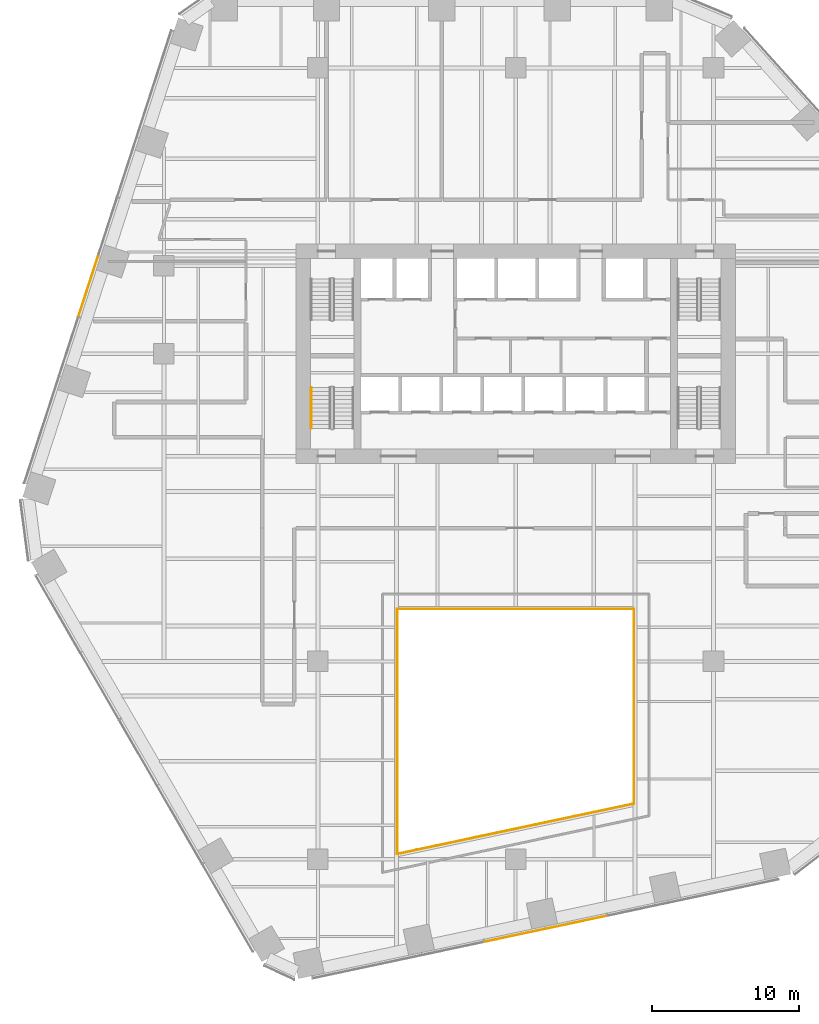
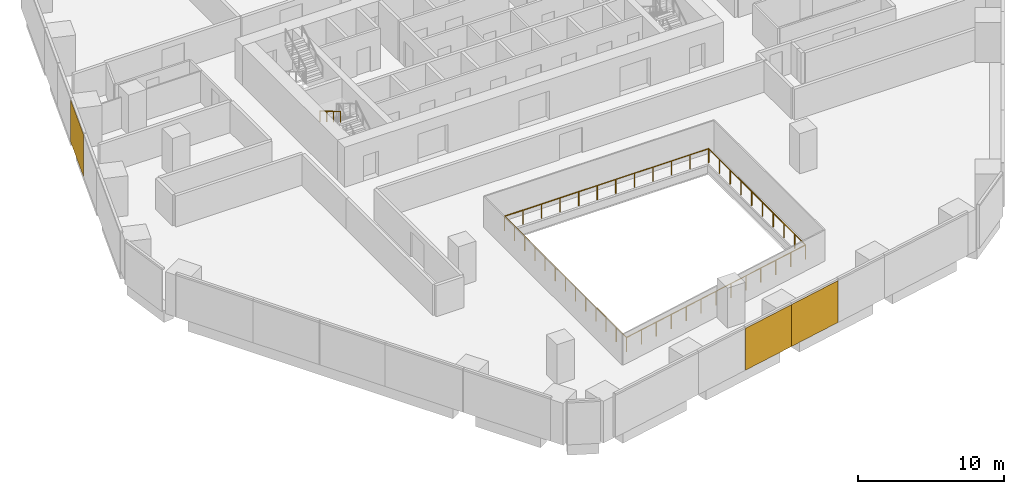
# One storey, part 18 of 20: 5 railings, 3 coverings, 2 elements without a shape of their own.
"""IFC4 building model written with IfcOpenShell, lengths in metres."""

from ifc_helpers import new_model, si_unit, direction, frame, origin, origin_2d, place, context, subcontext, project, spatial, rectangle, circle, extrude, material, layer, layer_set, type_object, element, aggregate, save


model = new_model("IFC4")

# Units and contexts
model_context = context("Model", 3, precision=1e-05, world=origin(), true_north=direction((0.0, 1.0)))
body_context = subcontext(model_context, "Body", "Model", "MODEL_VIEW")
ifc_project = project(units=[si_unit("LENGTHUNIT", "METRE"), si_unit("AREAUNIT", "SQUARE_METRE"), si_unit("VOLUMEUNIT", "CUBIC_METRE"), si_unit("PLANEANGLEUNIT", "RADIAN"), si_unit("MASSUNIT", "GRAM", prefix="KILO")], contexts=[model_context])

# Site, building, storey
site_placement = place(None, origin())
site = spatial("IfcSite", under=ifc_project, at=site_placement, CompositionType="ELEMENT")
building_placement = place(site_placement, origin())
building = spatial("IfcBuilding", under=site, at=building_placement, Name="Isthmus Gate Tower", CompositionType="ELEMENT")
storey_placement = place(building_placement, frame((0.0, 0.0, 72.5)))
storey = spatial("IfcBuildingStorey", under=building, at=storey_placement, Name="L16", CompositionType="ELEMENT", Elevation=72.5)

# Railings
ifc_material_1 = material(Name="Laminated toughened glass balustrade with steel rail", Category="steel")
railing_type_1 = type_object("IfcRailingType", Name="ATRIUM GUARD GLASS BALUSTRADE 1200", PredefinedType="GUARDRAIL", material=ifc_material_1)
railing_1_placement = place(storey_placement, frame((-8.080078125, -26.642822265625, 0.0)))
element("IfcRailing", 1, at=railing_1_placement, inside=storey, type_object=railing_type_1, Name="L16 atrium guard", PredefinedType="GUARDRAIL", context=body_context, shape_type="SweptSolid", body=[
    extrude(circle(Radius=0.02490234375, at=origin_2d()), frame((0.0, 0.0, 1.1748046875), z_axis=(0.0, 1.0, 0.0), x_axis=(-1.0, 0.0, 0.0)), (0.0, 0.0, 1.0), 16.722900390625),
    extrude(circle(Radius=0.02490234375, at=origin_2d()), origin(), (0.0, 0.0, 1.0), 1.14990234375),
    extrude(circle(Radius=0.02490234375, at=origin_2d()), frame((0.0, 1.3935546875, 0.0)), (0.0, 0.0, 1.0), 1.14990234375),
    extrude(circle(Radius=0.02490234375, at=origin_2d()), frame((0.0, 2.787109375, 0.0)), (0.0, 0.0, 1.0), 1.14990234375),
    extrude(circle(Radius=0.02490234375, at=origin_2d()), frame((0.0, 4.1806640625, 0.0)), (0.0, 0.0, 1.0), 1.14990234375),
    extrude(circle(Radius=0.02490234375, at=origin_2d()), frame((0.0, 5.57421875, 0.0)), (0.0, 0.0, 1.0), 1.14990234375),
    extrude(circle(Radius=0.02490234375, at=origin_2d()), frame((0.0, 6.9677734375, 0.0)), (0.0, 0.0, 1.0), 1.14990234375),
    extrude(circle(Radius=0.02490234375, at=origin_2d()), frame((0.0, 8.361328125, 0.0)), (0.0, 0.0, 1.0), 1.14990234375),
    extrude(circle(Radius=0.02490234375, at=origin_2d()), frame((0.0, 9.755126953125, 0.0)), (0.0, 0.0, 1.0), 1.14990234375),
    extrude(circle(Radius=0.02490234375, at=origin_2d()), frame((0.0, 11.148681640625, 0.0)), (0.0, 0.0, 1.0), 1.14990234375),
    extrude(circle(Radius=0.02490234375, at=origin_2d()), frame((0.0, 12.542236328125, 0.0)), (0.0, 0.0, 1.0), 1.14990234375),
    extrude(circle(Radius=0.02490234375, at=origin_2d()), frame((0.0, 13.935791015625, 0.0)), (0.0, 0.0, 1.0), 1.14990234375),
    extrude(circle(Radius=0.02490234375, at=origin_2d()), frame((0.0, 15.329345703125, 0.0)), (0.0, 0.0, 1.0), 1.14990234375),
    extrude(circle(Radius=0.02490234375, at=origin_2d()), frame((0.0, 16.722900390625, 0.0)), (0.0, 0.0, 1.0), 1.14990234375),
])
railing_2_placement = place(storey_placement, frame((-8.080078125, -9.919921875, 0.0)))
element("IfcRailing", 2, at=railing_2_placement, inside=storey, type_object=railing_type_1, Name="L16 atrium guard", PredefinedType="GUARDRAIL", context=body_context, shape_type="SweptSolid", body=[
    extrude(circle(Radius=0.02490234375, at=origin_2d()), frame((0.0, 0.0, 1.1748046875), z_axis=(1.0, 0.0, 0.0), x_axis=(0.0, 1.0, 0.0)), (0.0, 0.0, 1.0), 16.16015625),
    extrude(circle(Radius=0.02490234375, at=origin_2d()), origin(), (0.0, 0.0, 1.0), 1.14990234375),
    extrude(circle(Radius=0.02490234375, at=origin_2d()), frame((1.468994140625, 0.0, 0.0)), (0.0, 0.0, 1.0), 1.14990234375),
    extrude(circle(Radius=0.02490234375, at=origin_2d()), frame((2.938232421875, 0.0, 0.0)), (0.0, 0.0, 1.0), 1.14990234375),
    extrude(circle(Radius=0.02490234375, at=origin_2d()), frame((4.4072265625, 0.0, 0.0)), (0.0, 0.0, 1.0), 1.14990234375),
    extrude(circle(Radius=0.02490234375, at=origin_2d()), frame((5.87646484375, 0.0, 0.0)), (0.0, 0.0, 1.0), 1.14990234375),
    extrude(circle(Radius=0.02490234375, at=origin_2d()), frame((7.345458984375, 0.0, 0.0)), (0.0, 0.0, 1.0), 1.14990234375),
    extrude(circle(Radius=0.02490234375, at=origin_2d()), frame((8.814697265625, 0.0, 0.0)), (0.0, 0.0, 1.0), 1.14990234375),
    extrude(circle(Radius=0.02490234375, at=origin_2d()), frame((10.28369140625, 0.0, 0.0)), (0.0, 0.0, 1.0), 1.14990234375),
    extrude(circle(Radius=0.02490234375, at=origin_2d()), frame((11.7529296875, 0.0, 0.0)), (0.0, 0.0, 1.0), 1.14990234375),
    extrude(circle(Radius=0.02490234375, at=origin_2d()), frame((13.221923828125, 0.0, 0.0)), (0.0, 0.0, 1.0), 1.14990234375),
    extrude(circle(Radius=0.02490234375, at=origin_2d()), frame((14.691162109375, 0.0, 0.0)), (0.0, 0.0, 1.0), 1.14990234375),
    extrude(circle(Radius=0.02490234375, at=origin_2d()), frame((16.16015625, 0.0, 0.0)), (0.0, 0.0, 1.0), 1.14990234375),
])
railing_3_placement = place(storey_placement, frame((8.080078125, -9.919921875, 0.0)))
element("IfcRailing", 3, at=railing_3_placement, inside=storey, type_object=railing_type_1, Name="L16 atrium guard", PredefinedType="GUARDRAIL", context=body_context, shape_type="SweptSolid", body=[
    extrude(circle(Radius=0.02490234375, at=origin_2d()), frame((0.0, 0.0, 1.1748046875), z_axis=(0.0, -1.0, 0.0), x_axis=(1.0, 0.0, 0.0)), (0.0, 0.0, 1.0), 13.2880859375),
    extrude(circle(Radius=0.02490234375, at=origin_2d()), origin(), (0.0, 0.0, 1.0), 1.14990234375),
    extrude(circle(Radius=0.02490234375, at=origin_2d()), frame((0.0, -1.4765625, 0.0)), (0.0, 0.0, 1.0), 1.14990234375),
    extrude(circle(Radius=0.02490234375, at=origin_2d()), frame((0.0, -2.952880859375, 0.0)), (0.0, 0.0, 1.0), 1.14990234375),
    extrude(circle(Radius=0.02490234375, at=origin_2d()), frame((0.0, -4.429443359375, 0.0)), (0.0, 0.0, 1.0), 1.14990234375),
    extrude(circle(Radius=0.02490234375, at=origin_2d()), frame((0.0, -5.90576171875, 0.0)), (0.0, 0.0, 1.0), 1.14990234375),
    extrude(circle(Radius=0.02490234375, at=origin_2d()), frame((0.0, -7.38232421875, 0.0)), (0.0, 0.0, 1.0), 1.14990234375),
    extrude(circle(Radius=0.02490234375, at=origin_2d()), frame((0.0, -8.858642578125, 0.0)), (0.0, 0.0, 1.0), 1.14990234375),
    extrude(circle(Radius=0.02490234375, at=origin_2d()), frame((0.0, -10.335205078125, 0.0)), (0.0, 0.0, 1.0), 1.14990234375),
    extrude(circle(Radius=0.02490234375, at=origin_2d()), frame((0.0, -11.8115234375, 0.0)), (0.0, 0.0, 1.0), 1.14990234375),
    extrude(circle(Radius=0.02490234375, at=origin_2d()), frame((0.0, -13.2880859375, 0.0)), (0.0, 0.0, 1.0), 1.14990234375),
])
railing_4_placement = place(storey_placement, frame((8.080078125, -23.2080078125, 0.0)))
element("IfcRailing", 4, at=railing_4_placement, inside=storey, type_object=railing_type_1, Name="L16 atrium guard", PredefinedType="GUARDRAIL", context=body_context, shape_type="SweptSolid", body=[
    extrude(circle(Radius=0.02490234375, at=origin_2d()), frame((0.0, 0.0, 1.1748046875), z_axis=(-0.978149235358, -0.207904000366, 0.0), x_axis=(0.207904000366, -0.978149235358, 0.0)), (0.0, 0.0, 1.0), 16.521240234375),
    extrude(circle(Radius=0.02490234375, at=origin_2d()), origin(), (0.0, 0.0, 1.0), 1.14990234375),
    extrude(circle(Radius=0.02490234375, at=origin_2d()), frame((-1.3466796875, -0.2861328125, 0.0)), (0.0, 0.0, 1.0), 1.14990234375),
    extrude(circle(Radius=0.02490234375, at=origin_2d()), frame((-2.693359375, -0.572509765625, 0.0)), (0.0, 0.0, 1.0), 1.14990234375),
    extrude(circle(Radius=0.02490234375, at=origin_2d()), frame((-4.0400390625, -0.858642578125, 0.0)), (0.0, 0.0, 1.0), 1.14990234375),
    extrude(circle(Radius=0.02490234375, at=origin_2d()), frame((-5.38671875, -1.14501953125, 0.0)), (0.0, 0.0, 1.0), 1.14990234375),
    extrude(circle(Radius=0.02490234375, at=origin_2d()), frame((-6.7333984375, -1.43115234375, 0.0)), (0.0, 0.0, 1.0), 1.14990234375),
    extrude(circle(Radius=0.02490234375, at=origin_2d()), frame((-8.080078125, -1.71728515625, 0.0)), (0.0, 0.0, 1.0), 1.14990234375),
    extrude(circle(Radius=0.02490234375, at=origin_2d()), frame((-9.4267578125, -2.003662109375, 0.0)), (0.0, 0.0, 1.0), 1.14990234375),
    extrude(circle(Radius=0.02490234375, at=origin_2d()), frame((-10.7734375, -2.289794921875, 0.0)), (0.0, 0.0, 1.0), 1.14990234375),
    extrude(circle(Radius=0.02490234375, at=origin_2d()), frame((-12.1201171875, -2.576171875, 0.0)), (0.0, 0.0, 1.0), 1.14990234375),
    extrude(circle(Radius=0.02490234375, at=origin_2d()), frame((-13.466796875, -2.8623046875, 0.0)), (0.0, 0.0, 1.0), 1.14990234375),
    extrude(circle(Radius=0.02490234375, at=origin_2d()), frame((-14.8134765625, -3.148681640625, 0.0)), (0.0, 0.0, 1.0), 1.14990234375),
    extrude(circle(Radius=0.02490234375, at=origin_2d()), frame((-16.16015625, -3.434814453125, 0.0)), (0.0, 0.0, 1.0), 1.14990234375),
])

# Curtain wall, covering
ifc_material_2 = material(Name="Aluminium, pale champagne anodised", Category="aluminium")
ifc_layer_1 = layer(ifc_material_2, 0.199951171875)
ifc_layer_set_1 = layer_set([ifc_layer_1], Name="CW-1 UNITISED CURTAIN WALL 200 DEEP")
curtain_wall_type = type_object("IfcCurtainWallType", Name="CW-1 UNITISED CURTAIN WALL 200 DEEP", PredefinedType="NOTDEFINED", material=ifc_layer_set_1)
curtain_wall_1_placement = place(storey_placement, origin())
curtain_wall_1 = element("IfcCurtainWall", 5, at=curtain_wall_1_placement, inside=storey, type_object=curtain_wall_type, Name="CW-1 NW L16", PredefinedType="NOTDEFINED")
ifc_material_3 = material(Name="Aluminium composite panel, pale champagne anodised", Category="aluminium")
ifc_layer_2 = layer(ifc_material_3, 0.0400390625)
ifc_layer_set_2 = layer_set([ifc_layer_2], Name="CW-1 PALE METAL PANEL 40")
covering_type = type_object("IfcCoveringType", Name="CW-1 PALE METAL PANEL 40", PredefinedType="CLADDING", material=ifc_layer_set_2)
covering_1_placement = place(storey_placement, frame((-29.17236328125, 12.09033203125, 0.0), z_axis=(0.0, 0.0, 1.0), x_axis=(-0.309016994375, -0.951056516295, 0.0)))
covering_1 = element("IfcCovering", 6, at=covering_1_placement, type_object=covering_type, Name="CW-1 pale metal panel", PredefinedType="CLADDING", context=body_context, shape_type="SweptSolid", body=[
    extrude(rectangle(XDim=4.294677734375, YDim=0.0400390625, at=origin_2d()), origin(), (0.0, 0.0, 1.0), 3.5),
])
aggregate(curtain_wall_1, [covering_1])

# Curtain wall, coverings
curtain_wall_2_placement = place(storey_placement, origin())
curtain_wall_2 = element("IfcCurtainWall", 7, at=curtain_wall_2_placement, inside=storey, type_object=curtain_wall_type, Name="CW-1 S L16", PredefinedType="NOTDEFINED")
covering_2_placement = place(storey_placement, frame((-0.055908203125, -32.19580078125, 0.0), z_axis=(0.0, 0.0, 1.0), x_axis=(0.978147600734, 0.207911690818, 0.0)))
covering_2 = element("IfcCovering", 8, at=covering_2_placement, type_object=covering_type, Name="CW-1 pale metal panel", PredefinedType="CLADDING", context=body_context, shape_type="SweptSolid", body=[
    extrude(rectangle(XDim=4.234619140625, YDim=0.0400390625, at=origin_2d()), origin(), (0.0, 0.0, 1.0), 3.5),
])
covering_3_placement = place(storey_placement, frame((4.115478515625, -31.309326171875, 0.0), z_axis=(0.0, 0.0, 1.0), x_axis=(0.978147600734, 0.207911690818, 0.0)))
covering_3 = element("IfcCovering", 9, at=covering_3_placement, type_object=covering_type, Name="CW-1 pale metal panel", PredefinedType="CLADDING", context=body_context, shape_type="SweptSolid", body=[
    extrude(rectangle(XDim=4.294677734375, YDim=0.0400390625, at=origin_2d()), origin(), (0.0, 0.0, 1.0), 3.5),
])
aggregate(curtain_wall_2, [covering_2, covering_3])

# Railing
ifc_material_4 = material(Name="Stainless steel handrail", Category="steel")
railing_type_2 = type_object("IfcRailingType", Name="STAIR HANDRAIL 900", PredefinedType="HANDRAIL", material=ifc_material_4)
railing_5_placement = place(storey_placement, frame((-13.949951171875, 5.199951171875, 1.990966796875)))
element("IfcRailing", 10, at=railing_5_placement, inside=storey, type_object=railing_type_2, Name="L16 ST7 stair handrail 2", PredefinedType="HANDRAIL", context=body_context, shape_type="SweptSolid", body=[
    extrude(circle(Radius=0.02392578125, at=origin_2d()), frame((0.0, 0.0, 0.8759765625), z_axis=(0.0, -0.860339051648, 0.50972219513), x_axis=(1.0, 0.0, 0.0)), (0.0, 0.0, 1.0), 3.254638671875),
    extrude(circle(Radius=0.02099609375, at=origin_2d()), origin(), (0.0, 0.0, 1.0), 0.851806640625),
    extrude(circle(Radius=0.02099609375, at=origin_2d()), frame((0.0, -0.933349609375, 0.552978515625)), (0.0, 0.0, 1.0), 0.851806640625),
    extrude(circle(Radius=0.02099609375, at=origin_2d()), frame((0.0, -1.86669921875, 1.10595703125)), (0.0, 0.0, 1.0), 0.851806640625),
    extrude(circle(Radius=0.02099609375, at=origin_2d()), frame((0.0, -2.800048828125, 1.658935546875)), (0.0, 0.0, 1.0), 0.851806640625),
])

save(model, "model.ifc")
